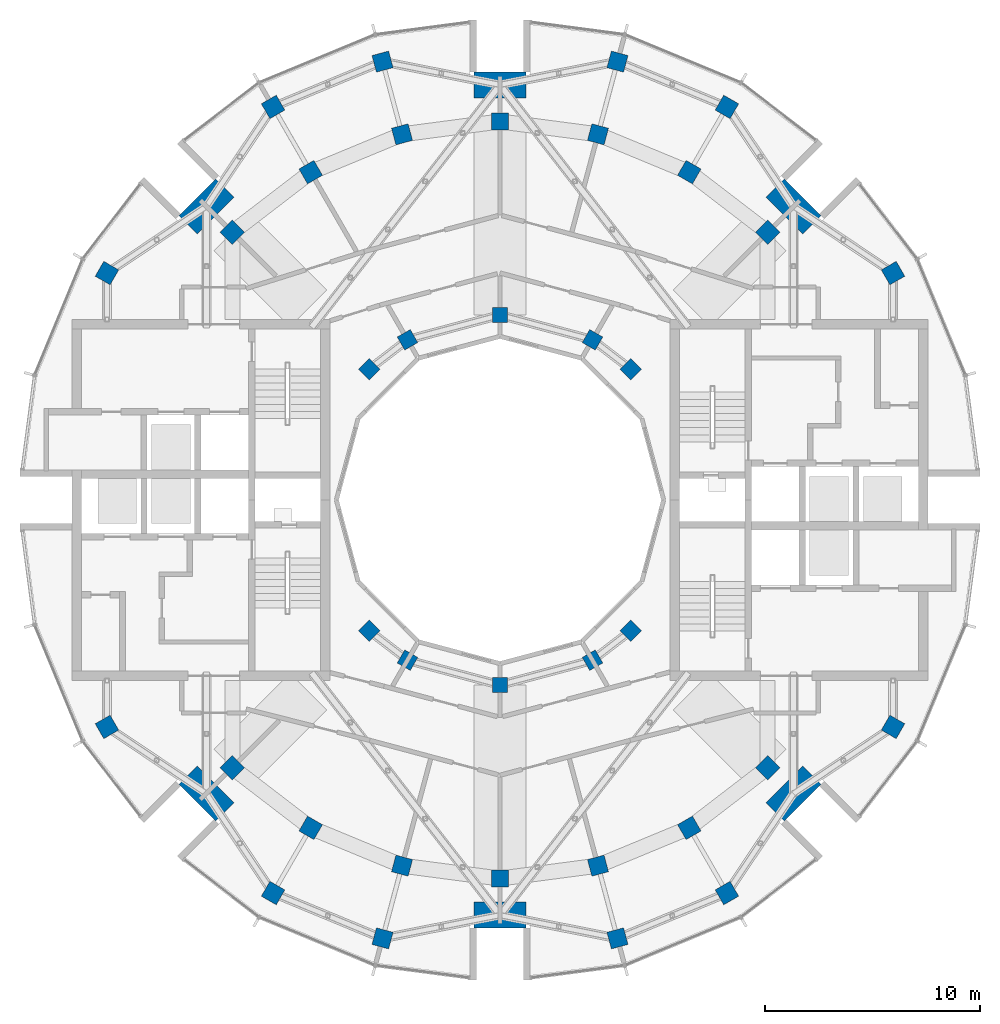
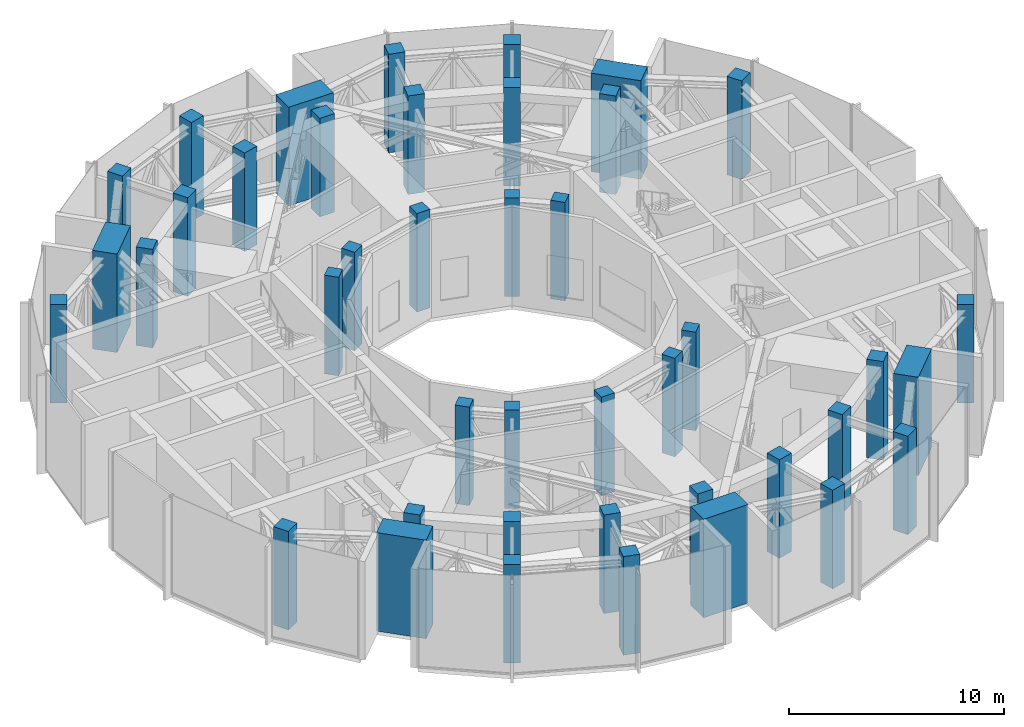
# One storey, part 1 of 17: 42 columns.
"""IFC4 building model written with IfcOpenShell, lengths in metres."""

from ifc_helpers import new_model, si_unit, direction, frame, origin, origin_2d, place, context, subcontext, project, spatial, rectangle, extrude, material, material_profile, profile_set, type_object, element, save


model = new_model("IFC4")

# Units and contexts
model_context = context("Model", 3, precision=1e-05, world=origin(), true_north=direction((0.0, 1.0)))
body_context = subcontext(model_context, "Body", "Model", "MODEL_VIEW")
ifc_project = project(units=[si_unit("LENGTHUNIT", "METRE"), si_unit("AREAUNIT", "SQUARE_METRE"), si_unit("VOLUMEUNIT", "CUBIC_METRE"), si_unit("PLANEANGLEUNIT", "RADIAN"), si_unit("MASSUNIT", "GRAM", prefix="KILO")], contexts=[model_context])

# Site, building, storey
site_placement = place(None, origin())
site = spatial("IfcSite", under=ifc_project, at=site_placement, CompositionType="ELEMENT")
building_placement = place(site_placement, origin())
building = spatial("IfcBuilding", under=site, at=building_placement, Name="Torre Brocal", CompositionType="ELEMENT")
storey_placement = place(building_placement, frame((0.0, 0.0, 309.300048828125)))
storey = spatial("IfcBuildingStorey", under=building, at=storey_placement, Name="L71", CompositionType="ELEMENT", Elevation=309.300048828125)

# Columns
ifc_material_1 = material(Name="Concrete C50", Category="concrete")
ifc_material_profile_1 = material_profile(ifc_material_1, rectangle(XDim=1.199951171875, YDim=2.39990234375, at=origin_2d()), Name="RC 1200X2400")
ifc_profile_set_1 = profile_set([ifc_material_profile_1], Name="Concrete C50")
column_type_1 = type_object("IfcColumnType", Name="RC COLUMN 1200X2400 C50", PredefinedType="COLUMN", material=ifc_profile_set_1)
for number, where, z_axis, x_axis, name in (
    (1, (93.647216796875, 88.647216796875, 0.0), (0.0, 0.0, 1.0), (0.707106781187, 0.707106781187, 0.0), "Column MCB-1"),
    (2, (80.0, 94.300048828125, 0.0), (0.0, 0.0, 1.0), (0.0, 1.0, 0.0), "Column MCB-2"),
    (3, (66.352783203125, 88.647216796875, 0.0), (0.0, 0.0, 1.0), (-0.707106781187, 0.707106781187, 0.0), "Column MCB-3"),
    (4, (66.352783203125, 61.352783203125, 0.0), (0.0, 0.0, 1.0), (-0.707106781187, -0.707106781187, 0.0), "Column MCB-5"),
    (5, (80.0, 55.699951171875, 0.0), (0.0, 0.0, 1.0), (0.0, -1.0, 0.0), "Column MCB-6"),
    (6, (93.647216796875, 61.352783203125, 0.0), (0.0, 0.0, 1.0), (0.707106781187, -0.707106781187, 0.0), "Column MCB-7"),
):
    element("IfcColumn", number, at=place(storey_placement, frame(where, z_axis=z_axis, x_axis=x_axis)), inside=storey, type_object=column_type_1, Name=name, PredefinedType="COLUMN", context=body_context, shape_type="SweptSolid", body=[
        extrude(rectangle(XDim=1.199951171875, YDim=2.39990234375, at=origin_2d()), origin(), (0.0, 0.0, 1.0), 5.599853515625),
    ])
ifc_material_2 = material(Name="Concrete C50", Category="concrete")
ifc_material_profile_2 = material_profile(ifc_material_2, rectangle(XDim=0.699951171875, YDim=0.699951171875, at=origin_2d()), Name="RC 700X700")
ifc_profile_set_2 = profile_set([ifc_material_profile_2], Name="Concrete C50")
column_type_2 = type_object("IfcColumnType", Name="RC COLUMN 700X700 C50", PredefinedType="COLUMN", material=ifc_profile_set_2)
for number, where, z_axis, x_axis, name in (
    (7, (86.0810546875, 81.0810546875, 0.0), (0.0, 0.0, 1.0), (0.707106781187, 0.707106781187, 0.0), "Column C-I03"),
    (8, (84.300048828125, 82.44775390625, 0.0), (0.0, 0.0, 1.0), (0.5, 0.866025403784, 0.0), "Column C-I04"),
    (9, (80.0, 83.60009765625, 0.0), (0.0, 0.0, 1.0), (0.0, 1.0, 0.0), "Column C-I06"),
    (10, (75.699951171875, 82.44775390625, 0.0), (0.0, 0.0, 1.0), (-0.5, 0.866025403784, 0.0), "Column C-I08"),
    (11, (73.9189453125, 81.0810546875, 0.0), (0.0, 0.0, 1.0), (-0.707106781187, 0.707106781187, 0.0), "Column C-I09"),
    (12, (73.9189453125, 68.9189453125, 0.0), (0.0, 0.0, 1.0), (-0.707106781187, -0.707106781187, 0.0), "Column C-I15"),
    (13, (75.699951171875, 67.55224609375, 0.0), (0.0, 0.0, 1.0), (-0.5, -0.866025403784, 0.0), "Column C-I16"),
    (14, (80.0, 66.39990234375, 0.0), (0.0, 0.0, 1.0), (0.0, -1.0, 0.0), "Column C-I18"),
    (15, (84.300048828125, 67.55224609375, 0.0), (0.0, 0.0, 1.0), (0.5, -0.866025403784, 0.0), "Column C-I20"),
    (16, (86.0810546875, 68.9189453125, 0.0), (0.0, 0.0, 1.0), (0.707106781187, -0.707106781187, 0.0), "Column C-I21"),
):
    element("IfcColumn", number, at=place(storey_placement, frame(where, z_axis=z_axis, x_axis=x_axis)), inside=storey, type_object=column_type_2, Name=name, PredefinedType="COLUMN", context=body_context, shape_type="SweptSolid", body=[
        extrude(rectangle(XDim=0.699951171875, YDim=0.699951171875, at=origin_2d()), origin(), (0.0, 0.0, 1.0), 5.599853515625),
    ])
ifc_material_3 = material(Name="Concrete C50", Category="concrete")
ifc_material_profile_3 = material_profile(ifc_material_3, rectangle(XDim=0.800048828125, YDim=0.800048828125, at=origin_2d()), Name="RC 800X800")
ifc_profile_set_3 = profile_set([ifc_material_profile_3], Name="Concrete C50")
column_type_3 = type_object("IfcColumnType", Name="RC COLUMN 800X800 C50", PredefinedType="COLUMN", material=ifc_profile_set_3)
for number, where, z_axis, x_axis, name in (
    (17, (98.273193359375, 85.550048828125, 0.0), (0.0, 0.0, 1.0), (0.866025403784, 0.5, 0.0), "Column C-OB02"),
    (18, (90.550048828125, 93.273193359375, 0.0), (0.0, 0.0, 1.0), (0.5, 0.866025403784, 0.0), "Column C-OB04"),
    (19, (85.461181640625, 95.381103515625, 0.0), (0.0, 0.0, 1.0), (0.258819045103, 0.965925826289, 0.0), "Column C-OB05"),
    (20, (74.538818359375, 95.381103515625, 0.0), (0.0, 0.0, 1.0), (-0.258819045103, 0.965925826289, 0.0), "Column C-OB07"),
    (21, (69.449951171875, 93.273193359375, 0.0), (0.0, 0.0, 1.0), (-0.5, 0.866025403784, 0.0), "Column C-OB08"),
    (22, (61.726806640625, 85.550048828125, 0.0), (0.0, 0.0, 1.0), (-0.866025403784, 0.5, 0.0), "Column C-OB10"),
    (23, (61.726806640625, 64.449951171875, 0.0), (0.0, 0.0, 1.0), (-0.866025403784, -0.5, 0.0), "Column C-OB14"),
    (24, (69.449951171875, 56.726806640625, 0.0), (0.0, 0.0, 1.0), (-0.5, -0.866025403784, 0.0), "Column C-OB16"),
    (25, (74.538818359375, 54.618896484375, 0.0), (0.0, 0.0, 1.0), (-0.258819045103, -0.965925826289, 0.0), "Column C-OB17"),
    (26, (85.461181640625, 54.618896484375, 0.0), (0.0, 0.0, 1.0), (0.258819045103, -0.965925826289, 0.0), "Column C-OB19"),
    (27, (90.550048828125, 56.726806640625, 0.0), (0.0, 0.0, 1.0), (0.5, -0.866025403784, 0.0), "Column C-OB20"),
    (28, (98.273193359375, 64.449951171875, 0.0), (0.0, 0.0, 1.0), (0.866025403784, -0.5, 0.0), "Column C-OB22"),
    (29, (92.445068359375, 87.445068359375, 0.0), (0.0, 0.0, 1.0), (0.707106781187, 0.707106781187, 0.0), "Column C-M03"),
    (30, (88.800048828125, 90.241943359375, 0.0), (0.0, 0.0, 1.0), (0.5, 0.866025403784, 0.0), "Column C-M04"),
    (31, (84.55517578125, 92.000244140625, 0.0), (0.0, 0.0, 1.0), (0.258819045103, 0.965925826289, 0.0), "Column C-M05"),
    (32, (80.0, 92.60009765625, 0.0), (0.0, 0.0, 1.0), (0.0, 1.0, 0.0), "Column C-M06"),
    (33, (75.44482421875, 92.000244140625, 0.0), (0.0, 0.0, 1.0), (-0.258819045103, 0.965925826289, 0.0), "Column C-M07"),
    (34, (71.199951171875, 90.241943359375, 0.0), (0.0, 0.0, 1.0), (-0.5, 0.866025403784, 0.0), "Column C-M08"),
    (35, (67.554931640625, 87.445068359375, 0.0), (0.0, 0.0, 1.0), (-0.707106781187, 0.707106781187, 0.0), "Column C-M09"),
    (36, (67.554931640625, 62.554931640625, 0.0), (0.0, 0.0, 1.0), (-0.707106781187, -0.707106781187, 0.0), "Column C-M15"),
    (37, (71.199951171875, 59.758056640625, 0.0), (0.0, 0.0, 1.0), (-0.5, -0.866025403784, 0.0), "Column C-M16"),
    (38, (75.44482421875, 57.999755859375, 0.0), (0.0, 0.0, 1.0), (-0.258819045103, -0.965925826289, 0.0), "Column C-M17"),
    (39, (80.0, 57.39990234375, 0.0), (0.0, 0.0, 1.0), (0.0, -1.0, 0.0), "Column C-M18"),
    (40, (84.55517578125, 57.999755859375, 0.0), (0.0, 0.0, 1.0), (0.258819045103, -0.965925826289, 0.0), "Column C-M19"),
    (41, (88.800048828125, 59.758056640625, 0.0), (0.0, 0.0, 1.0), (0.5, -0.866025403784, 0.0), "Column C-M20"),
    (42, (92.445068359375, 62.554931640625, 0.0), (0.0, 0.0, 1.0), (0.707106781187, -0.707106781187, 0.0), "Column C-M21"),
):
    element("IfcColumn", number, at=place(storey_placement, frame(where, z_axis=z_axis, x_axis=x_axis)), inside=storey, type_object=column_type_3, Name=name, PredefinedType="COLUMN", context=body_context, shape_type="SweptSolid", body=[
        extrude(rectangle(XDim=0.800048828125, YDim=0.800048828125, at=origin_2d()), origin(), (0.0, 0.0, 1.0), 5.599853515625),
    ])

save(model, "model.ifc")
